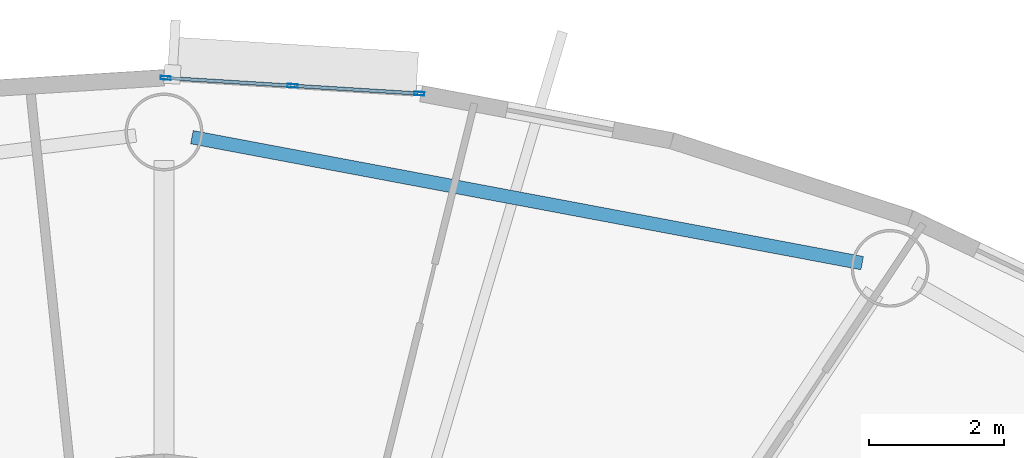
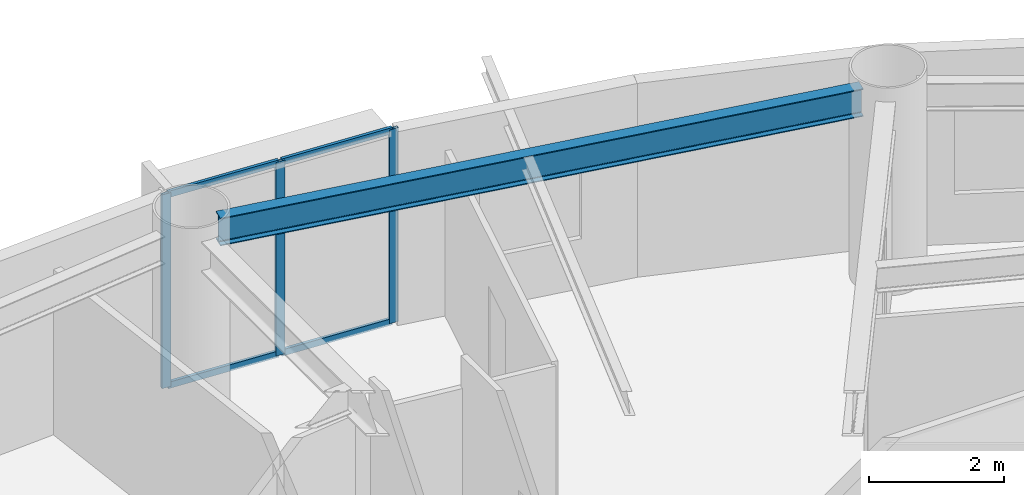
# One storey, part 5 of 19: 7 members, 1 beam, 1 element without a shape of its own.
"""IFC4 building model written with IfcOpenShell, lengths in metres."""

from ifc_helpers import new_model, si_unit, direction, frame, origin, origin_2d, place, context, subcontext, project, spatial, hollow_rectangle, i_section, extrude, source, transform, mapped, material, layer, layer_set, material_profile, profile_set, type_object, element, aggregate, save


model = new_model("IFC4")

# Units and contexts
model_context = context("Model", 3, precision=1e-05, world=origin(), true_north=direction((0.0, 1.0)))
body_context = subcontext(model_context, "Body", "Model", "MODEL_VIEW")
ifc_project = project(units=[si_unit("LENGTHUNIT", "METRE"), si_unit("AREAUNIT", "SQUARE_METRE"), si_unit("VOLUMEUNIT", "CUBIC_METRE"), si_unit("PLANEANGLEUNIT", "RADIAN"), si_unit("MASSUNIT", "GRAM", prefix="KILO")], contexts=[model_context])

# Site, building, storey
site_placement = place(None, origin())
site = spatial("IfcSite", under=ifc_project, at=site_placement, CompositionType="ELEMENT")
building_placement = place(site_placement, origin())
building = spatial("IfcBuilding", under=site, at=building_placement, Name="Linh Dai School and Residence Tower", CompositionType="ELEMENT")
storey_placement = place(building_placement, frame((0.0, 0.0, 236.550048828125)))
storey = spatial("IfcBuildingStorey", under=building, at=storey_placement, Name="L58", CompositionType="ELEMENT", Elevation=236.550048828125)

# Beam
ifc_material_1 = material(Name="Structural Steel S355JR", Category="steel")
ifc_material_profile_1 = material_profile(ifc_material_1, i_section(OverallWidth=0.199951171875, OverallDepth=0.5, WebThickness=0.01025390625, FlangeThickness=0.01611328125, FilletRadius=0.02099609375, at=origin_2d()), Name="IPE 500")
ifc_profile_set_1 = profile_set([ifc_material_profile_1], Name="Structural Steel S355JR")
beam_type = type_object("IfcBeamType", Name="BM-RB50", PredefinedType="BEAM", material=ifc_profile_set_1)
beam_placement = place(storey_placement, frame((46.32177734375, 43.240966796875, 3.25), z_axis=(-0.982806607762, 0.184637947722, 0.0), x_axis=(-0.184637947722, -0.982806607762, 0.0)))
element("IfcBeam", 1, at=beam_placement, inside=storey, type_object=beam_type, Name="L58 Perimeter Elliptical Ring Beam 04", PredefinedType="BEAM", context=body_context, shape_type="SweptSolid", body=[
    extrude(i_section(OverallWidth=0.199951171875, OverallDepth=0.5, WebThickness=0.01025390625, FlangeThickness=0.01611328125, FilletRadius=0.02099609375, at=origin_2d()), origin(), (0.0, 0.0, 1.0), 10.082275390625),
])

# Curtain wall, members
ifc_material_2 = material(Name="Aluminium Anodised Curtain Wall", Category="aluminium")
ifc_layer = layer(ifc_material_2, 0.14990234375)
ifc_layer_set = layer_set([ifc_layer], Name="Aluminium Anodised Curtain Wall")
curtain_wall_type = type_object("IfcCurtainWallType", Name="CW-SYS-4", PredefinedType="USERDEFINED", material=ifc_layer_set)
curtain_wall_placement = place(storey_placement, origin())
curtain_wall = element("IfcCurtainWall", 2, at=curtain_wall_placement, inside=storey, type_object=curtain_wall_type, Name="L58 CW4 Curtain Wall 10", ObjectType="RIBBON CURTAIN WALL", PredefinedType="USERDEFINED")
ifc_material_3 = material(Name="Aluminium Alloy 6063-T6", Category="aluminium")
ifc_material_profile_2 = material_profile(ifc_material_3, hollow_rectangle(XDim=0.052001953125, YDim=0.14990234375, WallThickness=0.00390625, at=origin_2d()), Name="RHS 150x52x4")
ifc_profile_set_2 = profile_set([ifc_material_profile_2], Name="Aluminium Alloy 6063-T6")
member_type_1 = type_object("IfcMemberType", Name="CW-SYS-4-MUL", PredefinedType="MULLION", material=ifc_profile_set_2)
shared_shape_1 = source(origin(), body_context, "Body", "SweptSolid", [
    extrude(hollow_rectangle(XDim=0.052001953125, YDim=0.14990234375, WallThickness=0.00390625, at=origin_2d()), origin(), (0.0, 0.0, 1.0), 3.5),
])
member_1_placement = place(storey_placement, frame((36.02587890625, 45.978515625, 0.0), z_axis=(0.0, 0.0, 1.0), x_axis=(0.061504437922, 0.998106809974, 0.0)))
member_1 = element("IfcMember", 3, at=member_1_placement, type_object=member_type_1, Name="CW4 mullion 1", PredefinedType="MULLION", context=body_context, shape_type="MappedRepresentation", body=[
    mapped(shared_shape_1, transform((0.0, 0.0, 0.0), x_axis=(1.0, 0.0, 0.0), y_axis=(0.0, 1.0, 0.0), z_axis=(0.0, 0.0, 1.0), scale=1.0)),
])
member_2_placement = place(storey_placement, frame((37.90087890625, 45.86279296875, 0.0), z_axis=(0.0, 0.0, 1.0), x_axis=(0.061504437922, 0.998106809974, 0.0)))
member_2 = element("IfcMember", 4, at=member_2_placement, type_object=member_type_1, Name="CW4 mullion 2", PredefinedType="MULLION", context=body_context, shape_type="MappedRepresentation", body=[
    mapped(shared_shape_1, transform((0.0, 0.0, 0.0), x_axis=(1.0, 0.0, 0.0), y_axis=(0.0, 1.0, 0.0), z_axis=(0.0, 0.0, 1.0), scale=1.0)),
])
member_3_placement = place(storey_placement, frame((39.775634765625, 45.747314453125, 0.0), z_axis=(0.0, 0.0, 1.0), x_axis=(0.061504437922, 0.998106809974, 0.0)))
member_3 = element("IfcMember", 5, at=member_3_placement, type_object=member_type_1, Name="CW4 mullion 3", PredefinedType="MULLION", context=body_context, shape_type="MappedRepresentation", body=[
    mapped(shared_shape_1, transform((0.0, 0.0, 0.0), x_axis=(1.0, 0.0, 0.0), y_axis=(0.0, 1.0, 0.0), z_axis=(0.0, 0.0, 1.0), scale=1.0)),
])
ifc_material_profile_3 = material_profile(ifc_material_3, hollow_rectangle(XDim=0.052001953125, YDim=0.114990234375, WallThickness=0.00390625, at=origin_2d()), Name="RHS 115x52x4")
ifc_profile_set_3 = profile_set([ifc_material_profile_3], Name="Aluminium Alloy 6063-T6")
member_type_2 = type_object("IfcMemberType", Name="CW-SYS-4-TRN", PredefinedType="USERDEFINED", material=ifc_profile_set_3)
shared_shape_2 = source(origin(), body_context, "Body", "SweptSolid", [
    extrude(hollow_rectangle(XDim=0.052001953125, YDim=0.114990234375, WallThickness=0.00390625, at=origin_2d()), origin(), (0.0, 0.0, 1.0), 1.826171875),
])
member_4_placement = place(storey_placement, frame((36.052001953125, 45.976806640625, 0.02587890625), z_axis=(0.998107327954, -0.061496031457, 0.0), x_axis=(0.061496031457, 0.998107327954, 0.0)))
member_4 = element("IfcMember", 6, at=member_4_placement, type_object=member_type_2, Name="CW4 transom 1.1", ObjectType="TRANSOM", PredefinedType="USERDEFINED", context=body_context, shape_type="MappedRepresentation", body=[
    mapped(shared_shape_2, transform((0.0, 0.0, 0.0), x_axis=(1.0, 0.0, 0.0), y_axis=(0.0, 1.0, 0.0), z_axis=(0.0, 0.0, 1.0), scale=1.0)),
])
member_5_placement = place(storey_placement, frame((36.052001953125, 45.976806640625, 3.473876953125), z_axis=(0.998107327954, -0.061496031457, 0.0), x_axis=(0.061496031457, 0.998107327954, 0.0)))
member_5 = element("IfcMember", 7, at=member_5_placement, type_object=member_type_2, Name="CW4 transom 1.2", ObjectType="TRANSOM", PredefinedType="USERDEFINED", context=body_context, shape_type="MappedRepresentation", body=[
    mapped(shared_shape_2, transform((0.0, 0.0, 0.0), x_axis=(1.0, 0.0, 0.0), y_axis=(0.0, 1.0, 0.0), z_axis=(0.0, 0.0, 1.0), scale=1.0)),
])
shared_shape_3 = source(origin(), body_context, "Body", "SweptSolid", [
    extrude(hollow_rectangle(XDim=0.052001953125, YDim=0.114990234375, WallThickness=0.00390625, at=origin_2d()), origin(), (0.0, 0.0, 1.0), 1.826416015625),
])
member_6_placement = place(storey_placement, frame((37.9267578125, 45.861328125, 0.02587890625), z_axis=(0.998107833425, -0.061487826888, 0.0), x_axis=(0.061487826888, 0.998107833425, 0.0)))
member_6 = element("IfcMember", 8, at=member_6_placement, type_object=member_type_2, Name="CW4 transom 2.1", ObjectType="TRANSOM", PredefinedType="USERDEFINED", context=body_context, shape_type="MappedRepresentation", body=[
    mapped(shared_shape_3, transform((0.0, 0.0, 0.0), x_axis=(1.0, 0.0, 0.0), y_axis=(0.0, 1.0, 0.0), z_axis=(0.0, 0.0, 1.0), scale=1.0)),
])
member_7_placement = place(storey_placement, frame((37.9267578125, 45.861328125, 3.473876953125), z_axis=(0.998107833425, -0.061487826888, 0.0), x_axis=(0.061487826888, 0.998107833425, 0.0)))
member_7 = element("IfcMember", 9, at=member_7_placement, type_object=member_type_2, Name="CW4 transom 2.2", ObjectType="TRANSOM", PredefinedType="USERDEFINED", context=body_context, shape_type="MappedRepresentation", body=[
    mapped(shared_shape_3, transform((0.0, 0.0, 0.0), x_axis=(1.0, 0.0, 0.0), y_axis=(0.0, 1.0, 0.0), z_axis=(0.0, 0.0, 1.0), scale=1.0)),
])
aggregate(curtain_wall, [member_1, member_2, member_3, member_4, member_5, member_6, member_7])

save(model, "model.ifc")
